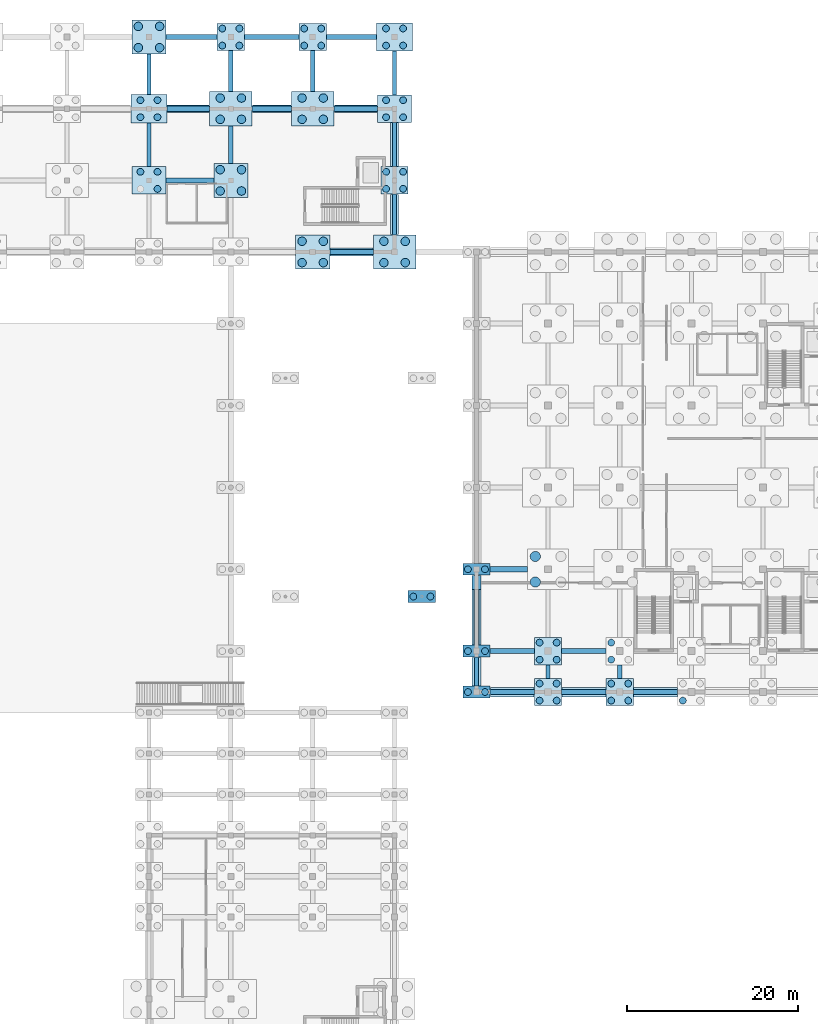
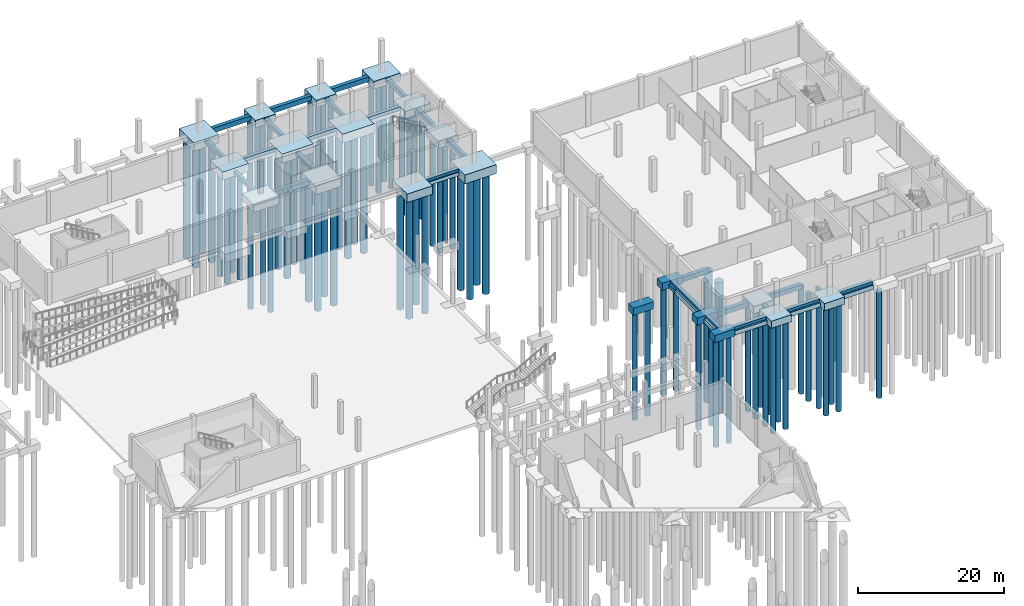
# One storey, part 7 of 41: 76 piles, 58 footings.
"""IFC4 building model written with IfcOpenShell, lengths in metres."""

from ifc_helpers import new_model, si_unit, direction, frame, origin, origin_2d, place, context, subcontext, project, spatial, rectangle, circle, extrude, material, material_profile, profile_set, type_object, element, save


model = new_model("IFC4")

# Units and contexts
model_context = context("Model", 3, precision=1e-05, world=origin(), true_north=direction((0.0, 1.0)))
body_context = subcontext(model_context, "Body", "Model", "MODEL_VIEW")
ifc_project = project(units=[si_unit("LENGTHUNIT", "METRE"), si_unit("AREAUNIT", "SQUARE_METRE"), si_unit("VOLUMEUNIT", "CUBIC_METRE"), si_unit("PLANEANGLEUNIT", "RADIAN"), si_unit("MASSUNIT", "GRAM", prefix="KILO")], contexts=[model_context])

# Site, building, storey
site_placement = place(None, origin())
site = spatial("IfcSite", under=ifc_project, at=site_placement, CompositionType="ELEMENT")
building_placement = place(site_placement, origin())
building = spatial("IfcBuilding", under=site, at=building_placement, Name="Shalvenor Court Art Gallery", CompositionType="ELEMENT")
storey_placement = place(building_placement, frame((0.0, 0.0, -5.39990234375)))
storey = spatial("IfcBuildingStorey", under=building, at=storey_placement, Name="B01", CompositionType="ELEMENT", Elevation=-5.39990234375)

# Footings
ifc_material_1 = material(Name="Concrete C35/45", Category="concrete")
footing_type_1 = type_object("IfcFootingType", Name="GB-01", PredefinedType="FOOTING_BEAM", material=ifc_material_1)
footing_1_placement = place(storey_placement, frame((134.39990234375, 55.199951171875, -0.80029296875), z_axis=(0.0, 0.0, 1.0), x_axis=(0.0, 1.0, 0.0)))
element("IfcFooting", 1, at=footing_1_placement, inside=storey, type_object=footing_type_1, Name="B01 Ground Tie Beam FTG-301", PredefinedType="FOOTING_BEAM", context=body_context, shape_type="SweptSolid", body=[
    extrude(rectangle(XDim=8.199951171875, YDim=0.60009765625, at=origin_2d()), origin(), (0.0, 0.0, 1.0), 0.800048828125),
])
for number, where, z_axis, x_axis, name in (
    (2, (138.60009765625, 45.60009765625, -0.80029296875), (0.0, 0.0, 1.0), (1.0, 0.0, 0.0), "B01 Ground Tie Beam FTG-387"),
    (3, (147.0, 45.60009765625, -0.80029296875), (0.0, 0.0, 1.0), (1.0, 0.0, 0.0), "B01 Ground Tie Beam FTG-388"),
    (4, (155.39990234375, 45.60009765625, -0.80029296875), (0.0, 0.0, 1.0), (1.0, 0.0, 0.0), "B01 Ground Tie Beam FTG-389"),
    (5, (138.60009765625, 50.39990234375, -1.26025390625), (0.0, 0.0, 1.0), (1.0, 0.0, 0.0), "B01 Ground Tie Beam FTG-393"),
    (6, (147.0, 50.39990234375, -1.26025390625), (0.0, 0.0, 1.0), (1.0, 0.0, 0.0), "B01 Ground Tie Beam FTG-394"),
):
    element("IfcFooting", number, at=place(storey_placement, frame(where, z_axis=z_axis, x_axis=x_axis)), inside=storey, type_object=footing_type_1, Name=name, PredefinedType="FOOTING_BEAM", context=body_context, shape_type="SweptSolid", body=[
        extrude(rectangle(XDim=5.199951171875, YDim=0.60009765625, at=origin_2d()), origin(), (0.0, 0.0, 1.0), 0.800048828125),
    ])
footing_2_placement = place(storey_placement, frame((138.199951171875, 60.0, -1.26025390625), z_axis=(0.0, 0.0, 1.0), x_axis=(1.0, 0.0, 0.0)))
element("IfcFooting", 7, at=footing_2_placement, inside=storey, type_object=footing_type_1, Name="B01 Ground Tie Beam FTG-401", PredefinedType="FOOTING_BEAM", context=body_context, shape_type="SweptSolid", body=[
    extrude(rectangle(XDim=4.39990234375, YDim=0.60009765625, at=origin_2d()), origin(), (0.0, 0.0, 1.0), 0.800048828125),
])
footing_3_placement = place(storey_placement, frame((119.75, 97.199951171875, -0.80029296875), z_axis=(0.0, 0.0, 1.0), x_axis=(1.0, 0.0, 0.0)))
element("IfcFooting", 8, at=footing_3_placement, inside=storey, type_object=footing_type_1, Name="B01 Ground Tie Beam FTG-440", PredefinedType="FOOTING_BEAM", context=body_context, shape_type="SweptSolid", body=[
    extrude(rectangle(XDim=5.10009765625, YDim=0.60009765625, at=origin_2d()), origin(), (0.0, 0.0, 1.0), 0.800048828125),
])
footing_4_placement = place(storey_placement, frame((100.800048828125, 105.60009765625, -1.22021484375), z_axis=(0.0, 0.0, 1.0), x_axis=(1.0, 0.0, 0.0)))
element("IfcFooting", 9, at=footing_4_placement, inside=storey, type_object=footing_type_1, Name="B01 Ground Tie Beam FTG-455", PredefinedType="FOOTING_BEAM", context=body_context, shape_type="SweptSolid", body=[
    extrude(rectangle(XDim=5.60009765625, YDim=0.60009765625, at=origin_2d()), origin(), (0.0, 0.0, 1.0), 0.800048828125),
])
footing_5_placement = place(storey_placement, frame((100.60009765625, 114.0, -0.80029296875), z_axis=(0.0, 0.0, 1.0), x_axis=(1.0, 0.0, 0.0)))
element("IfcFooting", 10, at=footing_5_placement, inside=storey, type_object=footing_type_1, Name="B01 Ground Tie Beam FTG-462", PredefinedType="FOOTING_BEAM", context=body_context, shape_type="SweptSolid", body=[
    extrude(rectangle(XDim=5.0, YDim=0.60009765625, at=origin_2d()), origin(), (0.0, 0.0, 1.0), 0.800048828125),
])
footing_6_placement = place(storey_placement, frame((110.39990234375, 114.0, -0.80029296875), z_axis=(0.0, 0.0, 1.0), x_axis=(1.0, 0.0, 0.0)))
element("IfcFooting", 11, at=footing_6_placement, inside=storey, type_object=footing_type_1, Name="B01 Ground Tie Beam FTG-463", PredefinedType="FOOTING_BEAM", context=body_context, shape_type="SweptSolid", body=[
    extrude(rectangle(XDim=4.60009765625, YDim=0.60009765625, at=origin_2d()), origin(), (0.0, 0.0, 1.0), 0.800048828125),
])
footing_7_placement = place(storey_placement, frame((120.25, 114.0, -0.80029296875), z_axis=(0.0, 0.0, 1.0), x_axis=(1.0, 0.0, 0.0)))
element("IfcFooting", 12, at=footing_7_placement, inside=storey, type_object=footing_type_1, Name="B01 Ground Tie Beam FTG-464", PredefinedType="FOOTING_BEAM", context=body_context, shape_type="SweptSolid", body=[
    extrude(rectangle(XDim=5.10009765625, YDim=0.60009765625, at=origin_2d()), origin(), (0.0, 0.0, 1.0), 0.800048828125),
])
footing_8_placement = place(storey_placement, frame((101.0, 122.39990234375, -0.80029296875), z_axis=(0.0, 0.0, 1.0), x_axis=(1.0, 0.0, 0.0)))
element("IfcFooting", 13, at=footing_8_placement, inside=storey, type_object=footing_type_1, Name="B01 Ground Tie Beam FTG-473", PredefinedType="FOOTING_BEAM", context=body_context, shape_type="SweptSolid", body=[
    extrude(rectangle(XDim=6.0, YDim=0.60009765625, at=origin_2d()), origin(), (0.0, 0.0, 1.0), 0.800048828125),
])
footing_9_placement = place(storey_placement, frame((110.39990234375, 122.39990234375, -0.80029296875), z_axis=(0.0, 0.0, 1.0), x_axis=(1.0, 0.0, 0.0)))
element("IfcFooting", 14, at=footing_9_placement, inside=storey, type_object=footing_type_1, Name="B01 Ground Tie Beam FTG-474", PredefinedType="FOOTING_BEAM", context=body_context, shape_type="SweptSolid", body=[
    extrude(rectangle(XDim=6.39990234375, YDim=0.60009765625, at=origin_2d()), origin(), (0.0, 0.0, 1.0), 0.800048828125),
])
footing_10_placement = place(storey_placement, frame((119.75, 122.39990234375, -0.80029296875), z_axis=(0.0, 0.0, 1.0), x_axis=(1.0, 0.0, 0.0)))
element("IfcFooting", 15, at=footing_10_placement, inside=storey, type_object=footing_type_1, Name="B01 Ground Tie Beam FTG-475", PredefinedType="FOOTING_BEAM", context=body_context, shape_type="SweptSolid", body=[
    extrude(rectangle(XDim=5.89990234375, YDim=0.60009765625, at=origin_2d()), origin(), (0.0, 0.0, 1.0), 0.800048828125),
])
ifc_material_2 = material(Name="Concrete C35/45", Category="concrete")
footing_type_2 = type_object("IfcFootingType", Name="GB-02", PredefinedType="FOOTING_BEAM", material=ifc_material_2)
footing_11_placement = place(storey_placement, frame((96.0, 109.77490234375, -1.1201171875), z_axis=(0.0, 0.0, 1.0), x_axis=(0.0, 1.0, 0.0)))
element("IfcFooting", 16, at=footing_11_placement, inside=storey, type_object=footing_type_2, Name="B01 Ground Tie Beam FTG-266", PredefinedType="FOOTING_BEAM", context=body_context, shape_type="SweptSolid", body=[
    extrude(rectangle(XDim=5.14990234375, YDim=0.5, at=origin_2d()), origin(), (0.0, 0.0, 1.0), 0.699951171875),
])
footing_12_placement = place(storey_placement, frame((96.0, 118.02490234375, -0.7001953125), z_axis=(0.0, 0.0, 1.0), x_axis=(0.0, 1.0, 0.0)))
element("IfcFooting", 17, at=footing_12_placement, inside=storey, type_object=footing_type_2, Name="B01 Ground Tie Beam FTG-267", PredefinedType="FOOTING_BEAM", context=body_context, shape_type="SweptSolid", body=[
    extrude(rectangle(XDim=4.75, YDim=0.5, at=origin_2d()), origin(), (0.0, 0.0, 1.0), 0.699951171875),
])
footing_13_placement = place(storey_placement, frame((105.60009765625, 109.800048828125, -1.1201171875), z_axis=(0.0, 0.0, 1.0), x_axis=(0.0, 1.0, 0.0)))
element("IfcFooting", 18, at=footing_13_placement, inside=storey, type_object=footing_type_2, Name="B01 Ground Tie Beam FTG-282", PredefinedType="FOOTING_BEAM", context=body_context, shape_type="SweptSolid", body=[
    extrude(rectangle(XDim=4.39990234375, YDim=0.5, at=origin_2d()), origin(), (0.0, 0.0, 1.0), 0.699951171875),
])
for number, where, z_axis, x_axis, name in (
    (19, (105.60009765625, 118.39990234375, -0.7001953125), (0.0, 0.0, 1.0), (0.0, 1.0, 0.0), "B01 Ground Tie Beam FTG-283"),
    (20, (115.199951171875, 118.39990234375, -0.7001953125), (0.0, 0.0, 1.0), (0.0, 1.0, 0.0), "B01 Ground Tie Beam FTG-289"),
    (21, (124.800048828125, 101.60009765625, -0.7001953125), (0.0, 0.0, 1.0), (0.0, 1.0, 0.0), "B01 Ground Tie Beam FTG-297"),
):
    element("IfcFooting", number, at=place(storey_placement, frame(where, z_axis=z_axis, x_axis=x_axis)), inside=storey, type_object=footing_type_2, Name=name, PredefinedType="FOOTING_BEAM", context=body_context, shape_type="SweptSolid", body=[
        extrude(rectangle(XDim=4.800048828125, YDim=0.5, at=origin_2d()), origin(), (0.0, 0.0, 1.0), 0.699951171875),
    ])
footing_14_placement = place(storey_placement, frame((124.800048828125, 109.800048828125, -0.7001953125), z_axis=(0.0, 0.0, 1.0), x_axis=(0.0, 1.0, 0.0)))
element("IfcFooting", 22, at=footing_14_placement, inside=storey, type_object=footing_type_2, Name="B01 Ground Tie Beam FTG-298", PredefinedType="FOOTING_BEAM", context=body_context, shape_type="SweptSolid", body=[
    extrude(rectangle(XDim=5.199951171875, YDim=0.5, at=origin_2d()), origin(), (0.0, 0.0, 1.0), 0.699951171875),
])
footing_15_placement = place(storey_placement, frame((124.800048828125, 118.175048828125, -0.7001953125), z_axis=(0.0, 0.0, 1.0), x_axis=(0.0, 1.0, 0.0)))
element("IfcFooting", 23, at=footing_15_placement, inside=storey, type_object=footing_type_2, Name="B01 Ground Tie Beam FTG-299", PredefinedType="FOOTING_BEAM", context=body_context, shape_type="SweptSolid", body=[
    extrude(rectangle(XDim=5.14990234375, YDim=0.5, at=origin_2d()), origin(), (0.0, 0.0, 1.0), 0.699951171875),
])
footing_16_placement = place(storey_placement, frame((134.39990234375, 48.0, -0.7001953125), z_axis=(0.0, 0.0, 1.0), x_axis=(0.0, 1.0, 0.0)))
element("IfcFooting", 24, at=footing_16_placement, inside=storey, type_object=footing_type_2, Name="B01 Ground Tie Beam FTG-300", PredefinedType="FOOTING_BEAM", context=body_context, shape_type="SweptSolid", body=[
    extrude(rectangle(XDim=3.39990234375, YDim=0.5, at=origin_2d()), origin(), (0.0, 0.0, 1.0), 0.699951171875),
])
for number, where, z_axis, x_axis, name in (
    (25, (142.800048828125, 48.0, -1.16015625), (0.0, 0.0, 1.0), (0.0, 1.0, 0.0), "B01 Ground Tie Beam FTG-306"),
    (26, (151.199951171875, 48.0, -1.16015625), (0.0, 0.0, 1.0), (0.0, 1.0, 0.0), "B01 Ground Tie Beam FTG-312"),
):
    element("IfcFooting", number, at=place(storey_placement, frame(where, z_axis=z_axis, x_axis=x_axis)), inside=storey, type_object=footing_type_2, Name=name, PredefinedType="FOOTING_BEAM", context=body_context, shape_type="SweptSolid", body=[
        extrude(rectangle(XDim=1.60009765625, YDim=0.5, at=origin_2d()), origin(), (0.0, 0.0, 1.0), 0.699951171875),
    ])
ifc_material_3 = material(Name="Concrete C35/45", Category="concrete")
footing_type_3 = type_object("IfcFootingType", Name="PC-01", PredefinedType="PILE_CAP", material=ifc_material_3)
for number, where, z_axis, x_axis, name in (
    (27, (134.39990234375, 45.60009765625, -1.2001953125), (0.0, 0.0, 1.0), (1.0, 0.0, 0.0), "B01 Pile Cap FTG-144"),
    (28, (134.39990234375, 50.39990234375, -1.2001953125), (0.0, 0.0, 1.0), (1.0, 0.0, 0.0), "B01 Pile Cap FTG-145"),
    (29, (134.39990234375, 60.0, -1.2001953125), (0.0, 0.0, 1.0), (1.0, 0.0, 0.0), "B01 Pile Cap FTG-146"),
    (30, (128.0, 56.800048828125, -1.2001953125), (0.0, 0.0, 1.0), (1.0, 0.0, 0.0), "B01 Pool Basin Cap FTG-187"),
):
    element("IfcFooting", number, at=place(storey_placement, frame(where, z_axis=z_axis, x_axis=x_axis)), inside=storey, type_object=footing_type_3, Name=name, PredefinedType="PILE_CAP", context=body_context, shape_type="SweptSolid", body=[
        extrude(rectangle(XDim=3.199951171875, YDim=1.39990234375, at=origin_2d()), origin(), (0.0, 0.0, 1.0), 1.199951171875),
    ])
ifc_material_4 = material(Name="Concrete C35/45", Category="concrete")
footing_type_4 = type_object("IfcFootingType", Name="PC-02", PredefinedType="PILE_CAP", material=ifc_material_4)
for number, where, z_axis, x_axis, name in (
    (31, (105.60009765625, 122.39990234375, -1.2001953125), (0.0, 0.0, 1.0), (1.0, 0.0, 0.0), "B01 Pile Cap FTG-121"),
    (32, (115.199951171875, 122.39990234375, -1.2001953125), (0.0, 0.0, 1.0), (1.0, 0.0, 0.0), "B01 Pile Cap FTG-131"),
    (33, (124.800048828125, 105.60009765625, -1.2001953125), (0.0, 0.0, 1.0), (1.0, 0.0, 0.0), "B01 Pile Cap FTG-141"),
    (34, (142.800048828125, 45.60009765625, -1.2001953125), (0.0, 0.0, 1.0), (1.0, 0.0, 0.0), "B01 Pile Cap FTG-151"),
    (35, (142.800048828125, 50.39990234375, -1.66015625), (0.0, 0.0, 1.0), (1.0, 0.0, 0.0), "B01 Pile Cap FTG-152"),
    (36, (151.199951171875, 45.60009765625, -1.2001953125), (0.0, 0.0, 1.0), (1.0, 0.0, 0.0), "B01 Pile Cap FTG-158"),
):
    element("IfcFooting", number, at=place(storey_placement, frame(where, z_axis=z_axis, x_axis=x_axis)), inside=storey, type_object=footing_type_4, Name=name, PredefinedType="PILE_CAP", context=body_context, shape_type="SweptSolid", body=[
        extrude(rectangle(XDim=3.199951171875, YDim=3.199951171875, at=origin_2d()), origin(), (0.0, 0.0, 1.0), 1.199951171875),
    ])
ifc_material_5 = material(Name="Concrete C35/45", Category="concrete")
footing_type_5 = type_object("IfcFootingType", Name="PC-03", PredefinedType="PILE_CAP", material=ifc_material_5)
for number, where, z_axis, x_axis, name in (
    (37, (96.0, 105.60009765625, -1.670166015625), (0.0, 0.0, 1.0), (1.0, 0.0, 0.0), "B01 Pile Cap FTG-102"),
    (38, (124.800048828125, 114.0, -1.25), (0.0, 0.0, 1.0), (1.0, 0.0, 0.0), "B01 Pile Cap FTG-142"),
):
    element("IfcFooting", number, at=place(storey_placement, frame(where, z_axis=z_axis, x_axis=x_axis)), inside=storey, type_object=footing_type_5, Name=name, PredefinedType="PILE_CAP", context=body_context, shape_type="SweptSolid", body=[
        extrude(rectangle(XDim=4.0, YDim=3.199951171875, at=origin_2d()), origin(), (0.0, 0.0, 1.0), 1.25),
    ])
ifc_material_6 = material(Name="Concrete C35/45", Category="concrete")
footing_type_6 = type_object("IfcFootingType", Name="PC-04", PredefinedType="PILE_CAP", material=ifc_material_6)
for number, where, z_axis, x_axis, name in (
    (39, (96.0, 114.0, -1.30029296875), (0.0, 0.0, 1.0), (1.0, 0.0, 0.0), "B01 Pile Cap FTG-103"),
    (40, (124.800048828125, 122.39990234375, -1.30029296875), (0.0, 0.0, 1.0), (1.0, 0.0, 0.0), "B01 Pile Cap FTG-143"),
):
    element("IfcFooting", number, at=place(storey_placement, frame(where, z_axis=z_axis, x_axis=x_axis)), inside=storey, type_object=footing_type_6, Name=name, PredefinedType="PILE_CAP", context=body_context, shape_type="SweptSolid", body=[
        extrude(rectangle(XDim=4.199951171875, YDim=3.300048828125, at=origin_2d()), origin(), (0.0, 0.0, 1.0), 1.300048828125),
    ])
ifc_material_7 = material(Name="Concrete C35/45", Category="concrete")
footing_type_7 = type_object("IfcFootingType", Name="PC-06", PredefinedType="PILE_CAP", material=ifc_material_7)
for number, where, z_axis, x_axis, name in (
    (41, (96.0, 122.39990234375, -1.400146484375), (0.0, 0.0, 1.0), (1.0, 0.0, 0.0), "B01 Pile Cap FTG-104"),
    (42, (105.60009765625, 105.60009765625, -1.820068359375), (0.0, 0.0, 1.0), (1.0, 0.0, 0.0), "B01 Pile Cap FTG-119"),
    (43, (115.199951171875, 97.199951171875, -1.400146484375), (0.0, 0.0, 1.0), (1.0, 0.0, 0.0), "B01 Pile Cap FTG-129"),
):
    element("IfcFooting", number, at=place(storey_placement, frame(where, z_axis=z_axis, x_axis=x_axis)), inside=storey, type_object=footing_type_7, Name=name, PredefinedType="PILE_CAP", context=body_context, shape_type="SweptSolid", body=[
        extrude(rectangle(XDim=4.0, YDim=4.0, at=origin_2d()), origin(), (0.0, 0.0, 1.0), 1.39990234375),
    ])
ifc_material_8 = material(Name="Concrete C35/45", Category="concrete")
footing_type_8 = type_object("IfcFootingType", Name="PC-07", PredefinedType="PILE_CAP", material=ifc_material_8)
for number, where, z_axis, x_axis, name in (
    (44, (105.60009765625, 114.0, -1.5), (0.0, 0.0, 1.0), (1.0, 0.0, 0.0), "B01 Pile Cap FTG-120"),
    (45, (115.199951171875, 114.0, -1.5), (0.0, 0.0, 1.0), (1.0, 0.0, 0.0), "B01 Pile Cap FTG-130"),
    (46, (124.800048828125, 97.199951171875, -1.5), (0.0, 0.0, 1.0), (1.0, 0.0, 0.0), "B01 Pile Cap FTG-140"),
):
    element("IfcFooting", number, at=place(storey_placement, frame(where, z_axis=z_axis, x_axis=x_axis)), inside=storey, type_object=footing_type_8, Name=name, PredefinedType="PILE_CAP", context=body_context, shape_type="SweptSolid", body=[
        extrude(rectangle(XDim=5.0, YDim=4.0, at=origin_2d()), origin(), (0.0, 0.0, 1.0), 1.5),
    ])

# Piles
ifc_material_9 = material(Name="Concrete C35/45", Category="concrete")
ifc_material_profile_1 = material_profile(ifc_material_9, circle(Radius=0.5, at=origin_2d()), Name="PILE 1000")
ifc_profile_set_1 = profile_set([ifc_material_profile_1], Name="Concrete C35/45")
pile_type_1 = type_object("IfcPileType", Name="PL-1000", PredefinedType="BORED", material=ifc_profile_set_1)
for number, where, z_axis, x_axis, name in (
    (47, (94.75, 121.14990234375, -1.300048828125), (0.0, 0.0, -1.0), (1.0, 0.0, 0.0), "B01 Bored Pile PIL-PL-1000-0353"),
    (48, (97.25, 121.14990234375, -1.300048828125), (0.0, 0.0, -1.0), (1.0, 0.0, 0.0), "B01 Bored Pile PIL-PL-1000-0354"),
    (49, (94.75, 123.64990234375, -1.300048828125), (0.0, 0.0, -1.0), (1.0, 0.0, 0.0), "B01 Bored Pile PIL-PL-1000-0355"),
    (50, (97.25, 123.64990234375, -1.300048828125), (0.0, 0.0, -1.0), (1.0, 0.0, 0.0), "B01 Bored Pile PIL-PL-1000-0356"),
    (51, (104.35009765625, 104.35009765625, -1.72021484375), (0.0, 0.0, -1.0), (1.0, 0.0, 0.0), "B01 Bored Pile PIL-PL-1000-0397"),
    (52, (106.85009765625, 104.35009765625, -1.72021484375), (0.0, 0.0, -1.0), (1.0, 0.0, 0.0), "B01 Bored Pile PIL-PL-1000-0398"),
    (53, (104.35009765625, 106.85009765625, -1.72021484375), (0.0, 0.0, -1.0), (1.0, 0.0, 0.0), "B01 Bored Pile PIL-PL-1000-0399"),
    (54, (106.85009765625, 106.85009765625, -1.72021484375), (0.0, 0.0, -1.0), (1.0, 0.0, 0.0), "B01 Bored Pile PIL-PL-1000-0400"),
    (55, (104.35009765625, 112.75, -1.400146484375), (0.0, 0.0, -1.0), (1.0, 0.0, 0.0), "B01 Bored Pile PIL-PL-1000-0401"),
    (56, (106.85009765625, 112.75, -1.400146484375), (0.0, 0.0, -1.0), (1.0, 0.0, 0.0), "B01 Bored Pile PIL-PL-1000-0402"),
    (57, (104.35009765625, 115.25, -1.400146484375), (0.0, 0.0, -1.0), (1.0, 0.0, 0.0), "B01 Bored Pile PIL-PL-1000-0403"),
    (58, (106.85009765625, 115.25, -1.400146484375), (0.0, 0.0, -1.0), (1.0, 0.0, 0.0), "B01 Bored Pile PIL-PL-1000-0404"),
    (59, (113.949951171875, 95.949951171875, -1.300048828125), (0.0, 0.0, -1.0), (1.0, 0.0, 0.0), "B01 Bored Pile PIL-PL-1000-0431"),
    (60, (116.449951171875, 95.949951171875, -1.300048828125), (0.0, 0.0, -1.0), (1.0, 0.0, 0.0), "B01 Bored Pile PIL-PL-1000-0432"),
    (61, (113.949951171875, 98.449951171875, -1.300048828125), (0.0, 0.0, -1.0), (1.0, 0.0, 0.0), "B01 Bored Pile PIL-PL-1000-0433"),
    (62, (116.449951171875, 98.449951171875, -1.300048828125), (0.0, 0.0, -1.0), (1.0, 0.0, 0.0), "B01 Bored Pile PIL-PL-1000-0434"),
    (63, (113.949951171875, 112.75, -1.400146484375), (0.0, 0.0, -1.0), (1.0, 0.0, 0.0), "B01 Bored Pile PIL-PL-1000-0435"),
    (64, (116.449951171875, 112.75, -1.400146484375), (0.0, 0.0, -1.0), (1.0, 0.0, 0.0), "B01 Bored Pile PIL-PL-1000-0436"),
    (65, (113.949951171875, 115.25, -1.400146484375), (0.0, 0.0, -1.0), (1.0, 0.0, 0.0), "B01 Bored Pile PIL-PL-1000-0437"),
    (66, (116.449951171875, 115.25, -1.400146484375), (0.0, 0.0, -1.0), (1.0, 0.0, 0.0), "B01 Bored Pile PIL-PL-1000-0438"),
    (67, (123.550048828125, 95.949951171875, -1.400146484375), (0.0, 0.0, -1.0), (1.0, 0.0, 0.0), "B01 Bored Pile PIL-PL-1000-0469"),
    (68, (126.050048828125, 95.949951171875, -1.400146484375), (0.0, 0.0, -1.0), (1.0, 0.0, 0.0), "B01 Bored Pile PIL-PL-1000-0470"),
    (69, (123.550048828125, 98.449951171875, -1.400146484375), (0.0, 0.0, -1.0), (1.0, 0.0, 0.0), "B01 Bored Pile PIL-PL-1000-0471"),
    (70, (126.050048828125, 98.449951171875, -1.400146484375), (0.0, 0.0, -1.0), (1.0, 0.0, 0.0), "B01 Bored Pile PIL-PL-1000-0472"),
):
    element("IfcPile", number, at=place(storey_placement, frame(where, z_axis=z_axis, x_axis=x_axis)), inside=storey, type_object=pile_type_1, Name=name, PredefinedType="BORED", context=body_context, shape_type="SweptSolid", body=[
        extrude(circle(Radius=0.5, at=origin_2d()), origin(), (0.0, 0.0, 1.0), 20.0),
    ])
ifc_material_10 = material(Name="Concrete C35/45", Category="concrete")
ifc_material_profile_2 = material_profile(ifc_material_10, circle(Radius=0.60009765625, at=origin_2d()), Name="PILE 1200")
ifc_profile_set_2 = profile_set([ifc_material_profile_2], Name="Concrete C35/45")
pile_type_2 = type_object("IfcPileType", Name="PL-1200", PredefinedType="BORED", material=ifc_profile_set_2)
for number, where, z_axis, x_axis, name in (
    (71, (141.300048828125, 58.5, -1.960205078125), (0.0, 0.0, -1.0), (1.0, 0.0, 0.0), "B01 Bored Pile PIL-PL-1200-0507"),
    (72, (141.300048828125, 61.5, -1.960205078125), (0.0, 0.0, -1.0), (1.0, 0.0, 0.0), "B01 Bored Pile PIL-PL-1200-0509"),
):
    element("IfcPile", number, at=place(storey_placement, frame(where, z_axis=z_axis, x_axis=x_axis)), inside=storey, type_object=pile_type_2, Name=name, PredefinedType="BORED", context=body_context, shape_type="SweptSolid", body=[
        extrude(circle(Radius=0.60009765625, at=origin_2d()), origin(), (0.0, 0.0, 1.0), 22.0),
    ])
ifc_material_11 = material(Name="Concrete C35/45", Category="concrete")
ifc_material_profile_3 = material_profile(ifc_material_11, circle(Radius=0.39990234375, at=origin_2d()), Name="PILE 800")
ifc_profile_set_3 = profile_set([ifc_material_profile_3], Name="Concrete C35/45")
pile_type_3 = type_object("IfcPileType", Name="PL-800", PredefinedType="BORED", material=ifc_profile_set_3)
for number, where, z_axis, x_axis, name in (
    (73, (97.0, 104.60009765625, -1.570068359375), (0.0, 0.0, -1.0), (1.0, 0.0, 0.0), "B01 Bored Pile PIL-PL-800-0346"),
    (74, (95.0, 106.60009765625, -1.570068359375), (0.0, 0.0, -1.0), (1.0, 0.0, 0.0), "B01 Bored Pile PIL-PL-800-0347"),
    (75, (97.0, 106.60009765625, -1.570068359375), (0.0, 0.0, -1.0), (1.0, 0.0, 0.0), "B01 Bored Pile PIL-PL-800-0348"),
    (76, (95.0, 113.0, -1.2001953125), (0.0, 0.0, -1.0), (1.0, 0.0, 0.0), "B01 Bored Pile PIL-PL-800-0349"),
    (77, (97.0, 113.0, -1.2001953125), (0.0, 0.0, -1.0), (1.0, 0.0, 0.0), "B01 Bored Pile PIL-PL-800-0350"),
    (78, (95.0, 115.0, -1.2001953125), (0.0, 0.0, -1.0), (1.0, 0.0, 0.0), "B01 Bored Pile PIL-PL-800-0351"),
    (79, (97.0, 115.0, -1.2001953125), (0.0, 0.0, -1.0), (1.0, 0.0, 0.0), "B01 Bored Pile PIL-PL-800-0352"),
    (80, (104.60009765625, 121.39990234375, -1.10009765625), (0.0, 0.0, -1.0), (1.0, 0.0, 0.0), "B01 Bored Pile PIL-PL-800-0405"),
    (81, (106.60009765625, 121.39990234375, -1.10009765625), (0.0, 0.0, -1.0), (1.0, 0.0, 0.0), "B01 Bored Pile PIL-PL-800-0406"),
    (82, (104.60009765625, 123.39990234375, -1.10009765625), (0.0, 0.0, -1.0), (1.0, 0.0, 0.0), "B01 Bored Pile PIL-PL-800-0407"),
    (83, (106.60009765625, 123.39990234375, -1.10009765625), (0.0, 0.0, -1.0), (1.0, 0.0, 0.0), "B01 Bored Pile PIL-PL-800-0408"),
    (84, (114.199951171875, 121.39990234375, -1.10009765625), (0.0, 0.0, -1.0), (1.0, 0.0, 0.0), "B01 Bored Pile PIL-PL-800-0439"),
    (85, (116.199951171875, 121.39990234375, -1.10009765625), (0.0, 0.0, -1.0), (1.0, 0.0, 0.0), "B01 Bored Pile PIL-PL-800-0440"),
    (86, (114.199951171875, 123.39990234375, -1.10009765625), (0.0, 0.0, -1.0), (1.0, 0.0, 0.0), "B01 Bored Pile PIL-PL-800-0441"),
    (87, (116.199951171875, 123.39990234375, -1.10009765625), (0.0, 0.0, -1.0), (1.0, 0.0, 0.0), "B01 Bored Pile PIL-PL-800-0442"),
    (88, (123.800048828125, 104.60009765625, -1.10009765625), (0.0, 0.0, -1.0), (1.0, 0.0, 0.0), "B01 Bored Pile PIL-PL-800-0473"),
    (89, (125.800048828125, 104.60009765625, -1.10009765625), (0.0, 0.0, -1.0), (1.0, 0.0, 0.0), "B01 Bored Pile PIL-PL-800-0474"),
    (90, (123.800048828125, 106.60009765625, -1.10009765625), (0.0, 0.0, -1.0), (1.0, 0.0, 0.0), "B01 Bored Pile PIL-PL-800-0475"),
    (91, (125.800048828125, 106.60009765625, -1.10009765625), (0.0, 0.0, -1.0), (1.0, 0.0, 0.0), "B01 Bored Pile PIL-PL-800-0476"),
    (92, (123.800048828125, 113.0, -1.150146484375), (0.0, 0.0, -1.0), (1.0, 0.0, 0.0), "B01 Bored Pile PIL-PL-800-0477"),
    (93, (125.800048828125, 113.0, -1.150146484375), (0.0, 0.0, -1.0), (1.0, 0.0, 0.0), "B01 Bored Pile PIL-PL-800-0478"),
    (94, (123.800048828125, 115.0, -1.150146484375), (0.0, 0.0, -1.0), (1.0, 0.0, 0.0), "B01 Bored Pile PIL-PL-800-0479"),
    (95, (125.800048828125, 115.0, -1.150146484375), (0.0, 0.0, -1.0), (1.0, 0.0, 0.0), "B01 Bored Pile PIL-PL-800-0480"),
    (96, (123.800048828125, 121.39990234375, -1.2001953125), (0.0, 0.0, -1.0), (1.0, 0.0, 0.0), "B01 Bored Pile PIL-PL-800-0481"),
    (97, (125.800048828125, 121.39990234375, -1.2001953125), (0.0, 0.0, -1.0), (1.0, 0.0, 0.0), "B01 Bored Pile PIL-PL-800-0482"),
    (98, (123.800048828125, 123.39990234375, -1.2001953125), (0.0, 0.0, -1.0), (1.0, 0.0, 0.0), "B01 Bored Pile PIL-PL-800-0483"),
    (99, (125.800048828125, 123.39990234375, -1.2001953125), (0.0, 0.0, -1.0), (1.0, 0.0, 0.0), "B01 Bored Pile PIL-PL-800-0484"),
    (100, (133.39990234375, 45.60009765625, -1.10009765625), (0.0, 0.0, -1.0), (1.0, 0.0, 0.0), "B01 Bored Pile PIL-PL-800-0485"),
    (101, (135.39990234375, 45.60009765625, -1.10009765625), (0.0, 0.0, -1.0), (1.0, 0.0, 0.0), "B01 Bored Pile PIL-PL-800-0486"),
    (102, (133.39990234375, 50.39990234375, -1.10009765625), (0.0, 0.0, -1.0), (1.0, 0.0, 0.0), "B01 Bored Pile PIL-PL-800-0487"),
    (103, (135.39990234375, 50.39990234375, -1.10009765625), (0.0, 0.0, -1.0), (1.0, 0.0, 0.0), "B01 Bored Pile PIL-PL-800-0488"),
    (104, (133.39990234375, 60.0, -1.10009765625), (0.0, 0.0, -1.0), (1.0, 0.0, 0.0), "B01 Bored Pile PIL-PL-800-0489"),
    (105, (135.39990234375, 60.0, -1.10009765625), (0.0, 0.0, -1.0), (1.0, 0.0, 0.0), "B01 Bored Pile PIL-PL-800-0490"),
    (106, (141.800048828125, 44.60009765625, -1.10009765625), (0.0, 0.0, -1.0), (1.0, 0.0, 0.0), "B01 Bored Pile PIL-PL-800-0499"),
    (107, (143.800048828125, 44.60009765625, -1.10009765625), (0.0, 0.0, -1.0), (1.0, 0.0, 0.0), "B01 Bored Pile PIL-PL-800-0500"),
    (108, (141.800048828125, 46.60009765625, -1.10009765625), (0.0, 0.0, -1.0), (1.0, 0.0, 0.0), "B01 Bored Pile PIL-PL-800-0501"),
    (109, (143.800048828125, 46.60009765625, -1.10009765625), (0.0, 0.0, -1.0), (1.0, 0.0, 0.0), "B01 Bored Pile PIL-PL-800-0502"),
    (110, (141.800048828125, 49.39990234375, -1.56005859375), (0.0, 0.0, -1.0), (1.0, 0.0, 0.0), "B01 Bored Pile PIL-PL-800-0503"),
    (111, (143.800048828125, 49.39990234375, -1.56005859375), (0.0, 0.0, -1.0), (1.0, 0.0, 0.0), "B01 Bored Pile PIL-PL-800-0504"),
    (112, (141.800048828125, 51.39990234375, -1.56005859375), (0.0, 0.0, -1.0), (1.0, 0.0, 0.0), "B01 Bored Pile PIL-PL-800-0505"),
    (113, (143.800048828125, 51.39990234375, -1.56005859375), (0.0, 0.0, -1.0), (1.0, 0.0, 0.0), "B01 Bored Pile PIL-PL-800-0506"),
    (114, (150.199951171875, 44.60009765625, -1.10009765625), (0.0, 0.0, -1.0), (1.0, 0.0, 0.0), "B01 Bored Pile PIL-PL-800-0527"),
    (115, (152.199951171875, 44.60009765625, -1.10009765625), (0.0, 0.0, -1.0), (1.0, 0.0, 0.0), "B01 Bored Pile PIL-PL-800-0528"),
    (116, (150.199951171875, 46.60009765625, -1.10009765625), (0.0, 0.0, -1.0), (1.0, 0.0, 0.0), "B01 Bored Pile PIL-PL-800-0529"),
    (117, (152.199951171875, 46.60009765625, -1.10009765625), (0.0, 0.0, -1.0), (1.0, 0.0, 0.0), "B01 Bored Pile PIL-PL-800-0530"),
    (118, (150.199951171875, 49.39990234375, -1.56005859375), (0.0, 0.0, -1.0), (1.0, 0.0, 0.0), "B01 Bored Pile PIL-PL-800-0531"),
    (119, (150.199951171875, 51.39990234375, -1.56005859375), (0.0, 0.0, -1.0), (1.0, 0.0, 0.0), "B01 Bored Pile PIL-PL-800-0533"),
    (120, (158.60009765625, 44.60009765625, -1.10009765625), (0.0, 0.0, -1.0), (1.0, 0.0, 0.0), "B01 Bored Pile PIL-PL-800-0555"),
    (121, (127.0, 56.800048828125, -1.10009765625), (0.0, 0.0, -1.0), (1.0, 0.0, 0.0), "B01 Bored Pile PIL-PL-800-0639"),
    (122, (129.0, 56.800048828125, -1.10009765625), (0.0, 0.0, -1.0), (1.0, 0.0, 0.0), "B01 Bored Pile PIL-PL-800-0640"),
):
    element("IfcPile", number, at=place(storey_placement, frame(where, z_axis=z_axis, x_axis=x_axis)), inside=storey, type_object=pile_type_3, Name=name, PredefinedType="BORED", context=body_context, shape_type="SweptSolid", body=[
        extrude(circle(Radius=0.39990234375, at=origin_2d()), origin(), (0.0, 0.0, 1.0), 18.0),
    ])

# Footings
ifc_material_12 = material(Name="Concrete C35/45", Category="concrete")
footing_type_9 = type_object("IfcFootingType", Name="SF-01", PredefinedType="STRIP_FOOTING", material=ifc_material_12)
footing_17_placement = place(storey_placement, frame((100.60009765625, 114.0, -1.020263671875), z_axis=(0.0, 0.0, 1.0), x_axis=(1.0, 0.0, 0.0)))
element("IfcFooting", 123, at=footing_17_placement, inside=storey, type_object=footing_type_9, Name="B01 Strip Footing FTG-503", PredefinedType="STRIP_FOOTING", context=body_context, shape_type="SweptSolid", body=[
    extrude(rectangle(XDim=4.919921875, YDim=0.89990234375, at=origin_2d()), origin(), (0.0, 0.0, 1.0), 0.60009765625),
])
footing_18_placement = place(storey_placement, frame((110.39990234375, 114.0, -1.020263671875), z_axis=(0.0, 0.0, 1.0), x_axis=(1.0, 0.0, 0.0)))
element("IfcFooting", 124, at=footing_18_placement, inside=storey, type_object=footing_type_9, Name="B01 Strip Footing FTG-504", PredefinedType="STRIP_FOOTING", context=body_context, shape_type="SweptSolid", body=[
    extrude(rectangle(XDim=4.52001953125, YDim=0.89990234375, at=origin_2d()), origin(), (0.0, 0.0, 1.0), 0.60009765625),
])
footing_19_placement = place(storey_placement, frame((120.25, 114.0, -1.020263671875), z_axis=(0.0, 0.0, 1.0), x_axis=(1.0, 0.0, 0.0)))
element("IfcFooting", 125, at=footing_19_placement, inside=storey, type_object=footing_type_9, Name="B01 Strip Footing FTG-505", PredefinedType="STRIP_FOOTING", context=body_context, shape_type="SweptSolid", body=[
    extrude(rectangle(XDim=5.02001953125, YDim=0.89990234375, at=origin_2d()), origin(), (0.0, 0.0, 1.0), 0.60009765625),
])
footing_20_placement = place(storey_placement, frame((124.800048828125, 109.800048828125, -1.020263671875), z_axis=(0.0, 0.0, 1.0), x_axis=(0.0, 1.0, 0.0)))
element("IfcFooting", 126, at=footing_20_placement, inside=storey, type_object=footing_type_9, Name="B01 Strip Footing FTG-506", PredefinedType="STRIP_FOOTING", context=body_context, shape_type="SweptSolid", body=[
    extrude(rectangle(XDim=5.1201171875, YDim=0.89990234375, at=origin_2d()), origin(), (0.0, 0.0, 1.0), 0.60009765625),
])
footing_21_placement = place(storey_placement, frame((124.800048828125, 101.60009765625, -1.020263671875), z_axis=(0.0, 0.0, 1.0), x_axis=(0.0, 1.0, 0.0)))
element("IfcFooting", 127, at=footing_21_placement, inside=storey, type_object=footing_type_9, Name="B01 Strip Footing FTG-507", PredefinedType="STRIP_FOOTING", context=body_context, shape_type="SweptSolid", body=[
    extrude(rectangle(XDim=4.719970703125, YDim=0.89990234375, at=origin_2d()), origin(), (0.0, 0.0, 1.0), 0.60009765625),
])
footing_22_placement = place(storey_placement, frame((119.75, 97.199951171875, -1.020263671875), z_axis=(0.0, 0.0, 1.0), x_axis=(1.0, 0.0, 0.0)))
element("IfcFooting", 128, at=footing_22_placement, inside=storey, type_object=footing_type_9, Name="B01 Strip Footing FTG-508", PredefinedType="STRIP_FOOTING", context=body_context, shape_type="SweptSolid", body=[
    extrude(rectangle(XDim=5.02001953125, YDim=0.89990234375, at=origin_2d()), origin(), (0.0, 0.0, 1.0), 0.60009765625),
])
ifc_material_13 = material(Name="Concrete C35/45", Category="concrete")
footing_type_10 = type_object("IfcFootingType", Name="SF-02", PredefinedType="STRIP_FOOTING", material=ifc_material_13)
for number, where, z_axis, x_axis, name in (
    (129, (155.39990234375, 45.60009765625, -1.16015625), (0.0, 0.0, 1.0), (1.0, 0.0, 0.0), "B01 Strip Footing FTG-489"),
    (130, (147.0, 45.60009765625, -1.16015625), (0.0, 0.0, 1.0), (1.0, 0.0, 0.0), "B01 Strip Footing FTG-490"),
    (131, (138.60009765625, 45.60009765625, -1.16015625), (0.0, 0.0, 1.0), (1.0, 0.0, 0.0), "B01 Strip Footing FTG-491"),
):
    element("IfcFooting", number, at=place(storey_placement, frame(where, z_axis=z_axis, x_axis=x_axis)), inside=storey, type_object=footing_type_10, Name=name, PredefinedType="STRIP_FOOTING", context=body_context, shape_type="SweptSolid", body=[
        extrude(rectangle(XDim=5.1201171875, YDim=1.10009765625, at=origin_2d()), origin(), (0.0, 0.0, 1.0), 0.699951171875),
    ])
footing_23_placement = place(storey_placement, frame((134.39990234375, 48.0, -1.16015625), z_axis=(0.0, 0.0, 1.0), x_axis=(0.0, 1.0, 0.0)))
element("IfcFooting", 132, at=footing_23_placement, inside=storey, type_object=footing_type_10, Name="B01 Strip Footing FTG-492", PredefinedType="STRIP_FOOTING", context=body_context, shape_type="SweptSolid", body=[
    extrude(rectangle(XDim=3.320068359375, YDim=1.10009765625, at=origin_2d()), origin(), (0.0, 0.0, 1.0), 0.699951171875),
])
footing_24_placement = place(storey_placement, frame((134.39990234375, 54.3701171875, -1.16015625), z_axis=(0.0, 0.0, 1.0), x_axis=(0.0, 1.0, 0.0)))
element("IfcFooting", 133, at=footing_24_placement, inside=storey, type_object=footing_type_10, Name="B01 Strip Footing FTG-493", PredefinedType="STRIP_FOOTING", context=body_context, shape_type="SweptSolid", body=[
    extrude(rectangle(XDim=6.4599609375, YDim=1.10009765625, at=origin_2d()), origin(), (0.0, 0.0, 1.0), 0.699951171875),
])
footing_25_placement = place(storey_placement, frame((134.39990234375, 58.429931640625, -1.16015625), z_axis=(0.0, 0.0, 1.0), x_axis=(0.0, 1.0, 0.0)))
element("IfcFooting", 134, at=footing_25_placement, inside=storey, type_object=footing_type_10, Name="B01 Strip Footing FTG-494", PredefinedType="STRIP_FOOTING", context=body_context, shape_type="SweptSolid", body=[
    extrude(rectangle(XDim=1.659912109375, YDim=1.10009765625, at=origin_2d()), origin(), (0.0, 0.0, 1.0), 0.699951171875),
])

save(model, "model.ifc")
